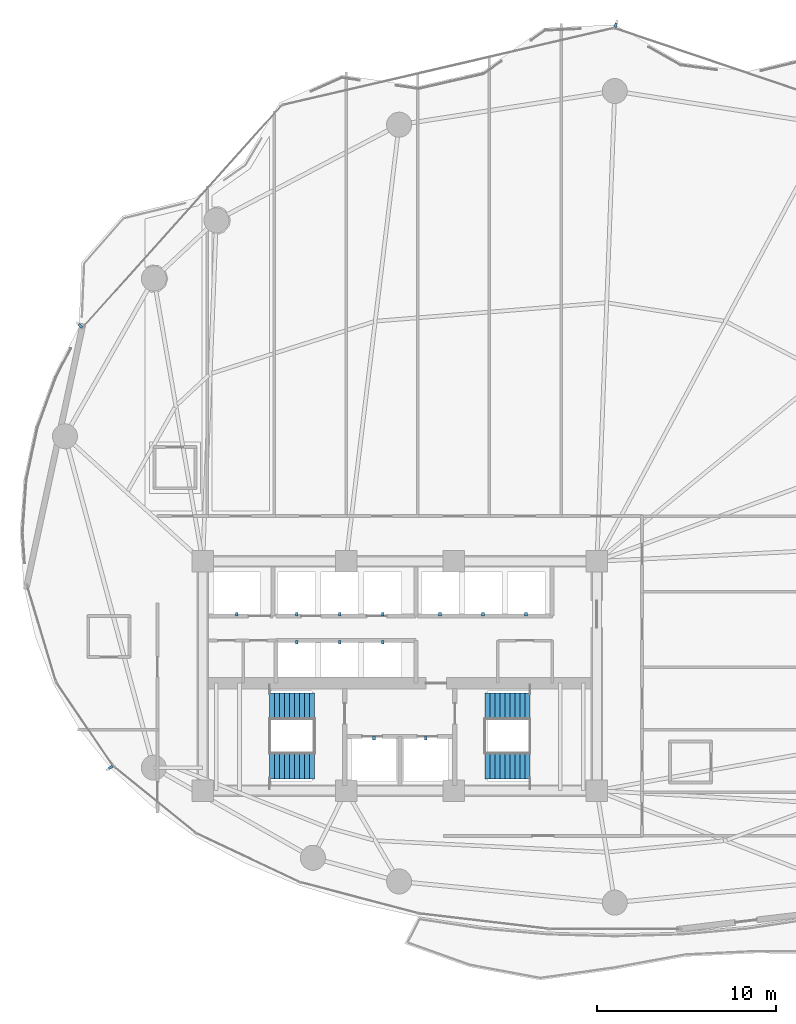
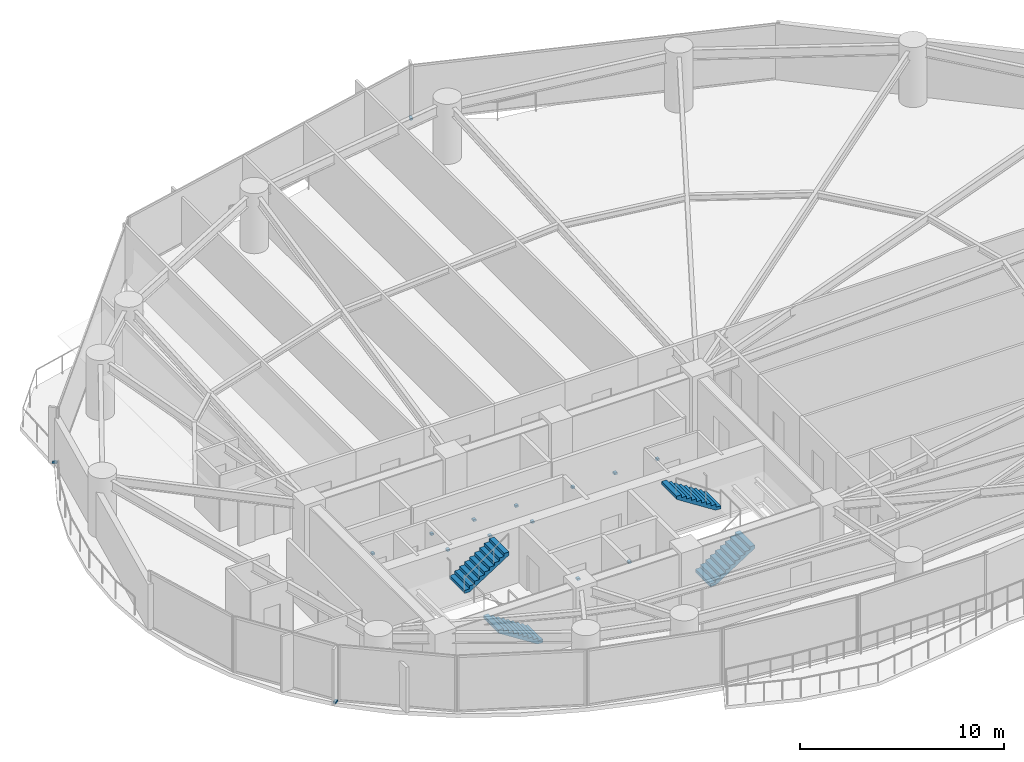
# One storey, part 28 of 31: 15 discrete accessories, 4 stair flights, 2 elements without a shape of their own.
"""IFC4 building model written with IfcOpenShell, lengths in metres."""

from ifc_helpers import new_model, si_unit, direction, frame, origin, origin_2d, place, context, subcontext, project, spatial, polyline, rectangle, outline, extrude, material, layer, layer_set, type_object, element, aggregate, save


model = new_model("IFC4")

# Units and contexts
model_context = context("Model", 3, precision=1e-05, world=origin(), true_north=direction((0.0, 1.0)))
body_context = subcontext(model_context, "Body", "Model", "MODEL_VIEW")
ifc_project = project(units=[si_unit("LENGTHUNIT", "METRE"), si_unit("AREAUNIT", "SQUARE_METRE"), si_unit("VOLUMEUNIT", "CUBIC_METRE"), si_unit("PLANEANGLEUNIT", "RADIAN"), si_unit("MASSUNIT", "GRAM", prefix="KILO")], contexts=[model_context])

# Site, building, storey
site_placement = place(None, origin())
site = spatial("IfcSite", under=ifc_project, at=site_placement, CompositionType="ELEMENT")
building_placement = place(site_placement, origin())
building = spatial("IfcBuilding", under=site, at=building_placement, Name="Kazevale Care Tower and Concert Hall", CompositionType="ELEMENT")
storey_placement = place(building_placement, frame((0.0, 0.0, 78.0)))
storey = spatial("IfcBuildingStorey", under=building, at=storey_placement, Name="L20", CompositionType="ELEMENT", Elevation=78.0)

# Stair, stair flights
ifc_material_1 = material(Name="Concrete C40", Category="concrete")
stair_type = type_object("IfcStairType", Name="Exit Stair Assembly ST1-Z1", PredefinedType="HALF_TURN_STAIR", material=ifc_material_1)
stair_1_placement = place(storey_placement, origin())
stair_1 = element("IfcStair", 1, at=stair_1_placement, inside=storey, type_object=stair_type, Name="stair:L20:ST1", PredefinedType="HALF_TURN_STAIR")
ifc_layer = layer(ifc_material_1, 0.159912109375)
ifc_layer_set = layer_set([ifc_layer], Name="Concrete C40")
stair_flight_type = type_object("IfcStairFlightType", Name="Exit Stair Flight ST1-Z1", PredefinedType="STRAIGHT", material=ifc_layer_set)
stair_flight_1_placement = place(storey_placement, frame((28.25, 24.989990234375, 0.0), z_axis=(0.0, 0.0, 1.0), x_axis=(-1.0, 0.0, 0.0)))
stair_flight_1 = element("IfcStairFlight", 2, at=stair_flight_1_placement, type_object=stair_flight_type, Name="ST1-Z1 flight 1", NumberOfRisers=10, NumberOfTreads=9, PredefinedType="STRAIGHT", RiserHeight=0.18, TreadLength=0.28, context=body_context, shape_type="SweptSolid", body=[
    extrude(outline(polyline([(0.0, 0.0), (0.0, 0.179931640625), (0.280029296875, 0.179931640625), (0.280029296875, 0.360107421875), (0.56005859375, 0.360107421875), (0.56005859375, 0.5400390625), (0.840087890625, 0.5400390625), (0.840087890625, 0.719970703125), (1.1201171875, 0.719970703125), (1.1201171875, 0.89990234375), (1.39990234375, 0.89990234375), (1.39990234375, 1.080078125), (1.679931640625, 1.080078125), (1.679931640625, 1.260009765625), (1.9599609375, 1.260009765625), (1.9599609375, 1.43994140625), (2.239990234375, 1.43994140625), (2.239990234375, 1.6201171875), (2.52001953125, 1.6201171875), (2.52001953125, 1.800048828125), (2.52001953125, 1.429931640625), (0.295654296875, 0.0), (0.0, 0.0)])), frame((0.0, 0.739990234375, 0.0), z_axis=(0.0, -1.0, 0.0), x_axis=(1.0, 0.0, 0.0)), (0.0, 0.0, 1.0), 1.47998046875),
])
stair_flight_2_placement = place(storey_placement, frame((25.72998046875, 28.31005859375, 1.800048828125), z_axis=(0.0, 0.0, 1.0), x_axis=(1.0, 0.0, 0.0)))
stair_flight_2 = element("IfcStairFlight", 3, at=stair_flight_2_placement, type_object=stair_flight_type, Name="ST1-Z1 flight 2", NumberOfRisers=10, NumberOfTreads=9, PredefinedType="STRAIGHT", RiserHeight=0.18, TreadLength=0.28, context=body_context, shape_type="SweptSolid", body=[
    extrude(outline(polyline([(0.0, 0.0), (0.0, 0.179931640625), (0.280029296875, 0.179931640625), (0.280029296875, 0.360107421875), (0.56005859375, 0.360107421875), (0.56005859375, 0.5400390625), (0.840087890625, 0.5400390625), (0.840087890625, 0.719970703125), (1.1201171875, 0.719970703125), (1.1201171875, 0.89990234375), (1.39990234375, 0.89990234375), (1.39990234375, 1.080078125), (1.679931640625, 1.080078125), (1.679931640625, 1.260009765625), (1.9599609375, 1.260009765625), (1.9599609375, 1.43994140625), (2.239990234375, 1.43994140625), (2.239990234375, 1.6201171875), (2.52001953125, 1.6201171875), (2.52001953125, 1.800048828125), (2.52001953125, 1.429931640625), (0.295654296875, 0.0), (0.0, 0.0)])), frame((0.0, 0.739990234375, 0.0), z_axis=(0.0, -1.0, 0.0), x_axis=(1.0, 0.0, 0.0)), (0.0, 0.0, 1.0), 1.47998046875),
])
aggregate(stair_1, [stair_flight_1, stair_flight_2])

stair_2_placement = place(storey_placement, origin())
stair_2 = element("IfcStair", 4, at=stair_2_placement, inside=storey, type_object=stair_type, Name="stair:L20:ST2", PredefinedType="HALF_TURN_STAIR")
stair_flight_3_placement = place(storey_placement, frame((37.75, 24.989990234375, 0.0), z_axis=(0.0, 0.0, 1.0), x_axis=(1.0, 0.0, 0.0)))
stair_flight_3 = element("IfcStairFlight", 5, at=stair_flight_3_placement, type_object=stair_flight_type, Name="ST1-Z1 flight 1", NumberOfRisers=10, NumberOfTreads=9, PredefinedType="STRAIGHT", RiserHeight=0.18, TreadLength=0.28, context=body_context, shape_type="SweptSolid", body=[
    extrude(outline(polyline([(0.0, 0.0), (0.0, 0.179931640625), (0.280029296875, 0.179931640625), (0.280029296875, 0.360107421875), (0.56005859375, 0.360107421875), (0.56005859375, 0.5400390625), (0.840087890625, 0.5400390625), (0.840087890625, 0.719970703125), (1.1201171875, 0.719970703125), (1.1201171875, 0.89990234375), (1.39990234375, 0.89990234375), (1.39990234375, 1.080078125), (1.679931640625, 1.080078125), (1.679931640625, 1.260009765625), (1.9599609375, 1.260009765625), (1.9599609375, 1.43994140625), (2.239990234375, 1.43994140625), (2.239990234375, 1.6201171875), (2.52001953125, 1.6201171875), (2.52001953125, 1.800048828125), (2.52001953125, 1.429931640625), (0.295654296875, 0.0), (0.0, 0.0)])), frame((0.0, 0.739990234375, 0.0), z_axis=(0.0, -1.0, 0.0), x_axis=(1.0, 0.0, 0.0)), (0.0, 0.0, 1.0), 1.47998046875),
])
stair_flight_4_placement = place(storey_placement, frame((40.27001953125, 28.31005859375, 1.800048828125), z_axis=(0.0, 0.0, 1.0), x_axis=(-1.0, 0.0, 0.0)))
stair_flight_4 = element("IfcStairFlight", 6, at=stair_flight_4_placement, type_object=stair_flight_type, Name="ST1-Z1 flight 2", NumberOfRisers=10, NumberOfTreads=9, PredefinedType="STRAIGHT", RiserHeight=0.18, TreadLength=0.28, context=body_context, shape_type="SweptSolid", body=[
    extrude(outline(polyline([(0.0, 0.0), (0.0, 0.179931640625), (0.280029296875, 0.179931640625), (0.280029296875, 0.360107421875), (0.56005859375, 0.360107421875), (0.56005859375, 0.5400390625), (0.840087890625, 0.5400390625), (0.840087890625, 0.719970703125), (1.1201171875, 0.719970703125), (1.1201171875, 0.89990234375), (1.39990234375, 0.89990234375), (1.39990234375, 1.080078125), (1.679931640625, 1.080078125), (1.679931640625, 1.260009765625), (1.9599609375, 1.260009765625), (1.9599609375, 1.43994140625), (2.239990234375, 1.43994140625), (2.239990234375, 1.6201171875), (2.52001953125, 1.6201171875), (2.52001953125, 1.800048828125), (2.52001953125, 1.429931640625), (0.295654296875, 0.0), (0.0, 0.0)])), frame((0.0, 0.739990234375, 0.0), z_axis=(0.0, -1.0, 0.0), x_axis=(1.0, 0.0, 0.0)), (0.0, 0.0, 1.0), 1.47998046875),
])
aggregate(stair_2, [stair_flight_3, stair_flight_4])

# Discrete accessories
ifc_material_2 = material(Name="Stainless Steel 316", Category="steel")
discrete_accessory_type_1 = type_object("IfcDiscreteAccessoryType", Name="Facade Fin Stainless Anchor Bracket BRK-1", PredefinedType="BRACKET", material=ifc_material_2)
for number, where, z_axis, x_axis, name in (
    (7, (16.85791015625, 24.894287109375, 0.0), (0.0, 0.0, 1.0), (-0.825999928064, -0.563670221706, 0.0), "cw:L20:f11:brk"),
    (8, (15.166015625, 49.55029296875, 0.0), (0.0, 0.0, 1.0), (-0.744777599887, 0.667312765281, 0.0), "cw:L20:f14:brk"),
    (9, (45.04833984375, 66.316162109375, 0.0), (0.0, 0.0, 1.0), (0.320612990586, 0.947210277746, 0.0), "cw:L20:f16:brk"),
):
    element("IfcDiscreteAccessory", number, at=place(storey_placement, frame(where, z_axis=z_axis, x_axis=x_axis)), inside=storey, type_object=discrete_accessory_type_1, Name=name, PredefinedType="BRACKET", context=body_context, shape_type="SweptSolid", body=[
        extrude(rectangle(XDim=0.239990234375, YDim=0.139892578125, at=origin_2d()), origin(), (0.0, 0.0, 1.0), 0.1201171875),
    ])
discrete_accessory_type_2 = type_object("IfcDiscreteAccessoryType", Name="Hoistway Guide-Rail Wall Bracket HBRK-1", PredefinedType="BRACKET", material=ifc_material_2)
for number, where, z_axis, x_axis, name in (
    (10, (31.550048828125, 26.52001953125, 1.239990234375), (0.0, 0.0, 1.0), (1.0, 0.0, 0.0), "hbrk:FFL-1:L20"),
    (11, (34.449951171875, 26.52001953125, 1.239990234375), (0.0, 0.0, 1.0), (1.0, 0.0, 0.0), "hbrk:FFL-2:L20"),
    (12, (23.89990234375, 33.449951171875, 1.239990234375), (0.0, 0.0, 1.0), (1.0, 0.0, 0.0), "hbrk:SVL-1:L20"),
    (13, (27.25, 33.449951171875, 1.239990234375), (0.0, 0.0, 1.0), (1.0, 0.0, 0.0), "hbrk:PL-1:L20"),
    (14, (29.64990234375, 33.449951171875, 1.239990234375), (0.0, 0.0, 1.0), (1.0, 0.0, 0.0), "hbrk:PL-2:L20"),
    (15, (32.050048828125, 33.449951171875, 1.239990234375), (0.0, 0.0, 1.0), (1.0, 0.0, 0.0), "hbrk:PL-3:L20"),
    (16, (35.25, 33.449951171875, 1.239990234375), (0.0, 0.0, 1.0), (1.0, 0.0, 0.0), "hbrk:PM-1:L20"),
    (17, (37.64990234375, 33.449951171875, 1.239990234375), (0.0, 0.0, 1.0), (1.0, 0.0, 0.0), "hbrk:PM-2:L20"),
    (18, (40.050048828125, 33.449951171875, 1.239990234375), (0.0, 0.0, 1.0), (1.0, 0.0, 0.0), "hbrk:PM-3:L20"),
    (19, (27.25, 31.8798828125, 1.239990234375), (0.0, 0.0, 1.0), (1.0, 0.0, 0.0), "hbrk:PH-1:L20"),
    (20, (29.64990234375, 31.8798828125, 1.239990234375), (0.0, 0.0, 1.0), (1.0, 0.0, 0.0), "hbrk:PH-2:L20"),
    (21, (32.050048828125, 31.8798828125, 1.239990234375), (0.0, 0.0, 1.0), (1.0, 0.0, 0.0), "hbrk:PH-3:L20"),
):
    element("IfcDiscreteAccessory", number, at=place(storey_placement, frame(where, z_axis=z_axis, x_axis=x_axis)), inside=storey, type_object=discrete_accessory_type_2, Name=name, PredefinedType="BRACKET", context=body_context, shape_type="SweptSolid", body=[
        extrude(rectangle(XDim=0.159912109375, YDim=0.179931640625, at=origin_2d()), origin(), (0.0, 0.0, 1.0), 0.1201171875),
    ])

save(model, "model.ifc")
